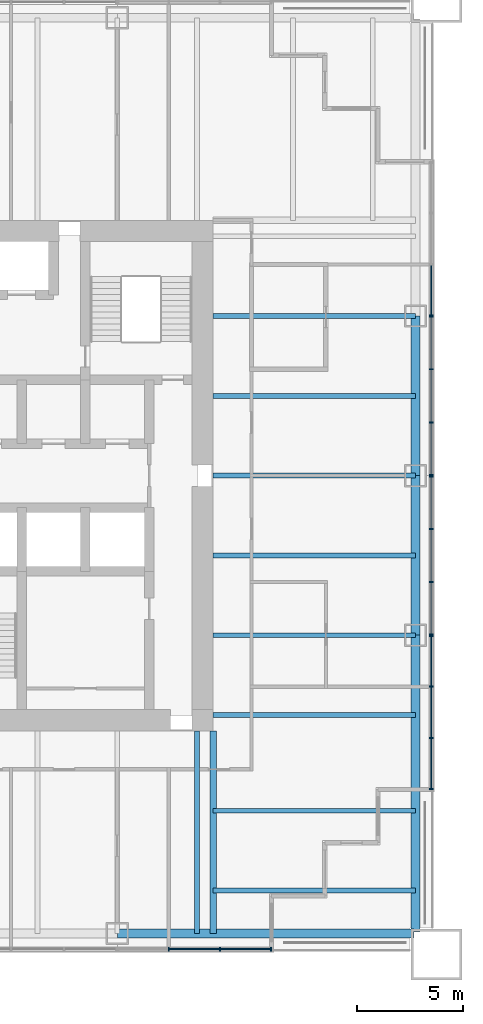
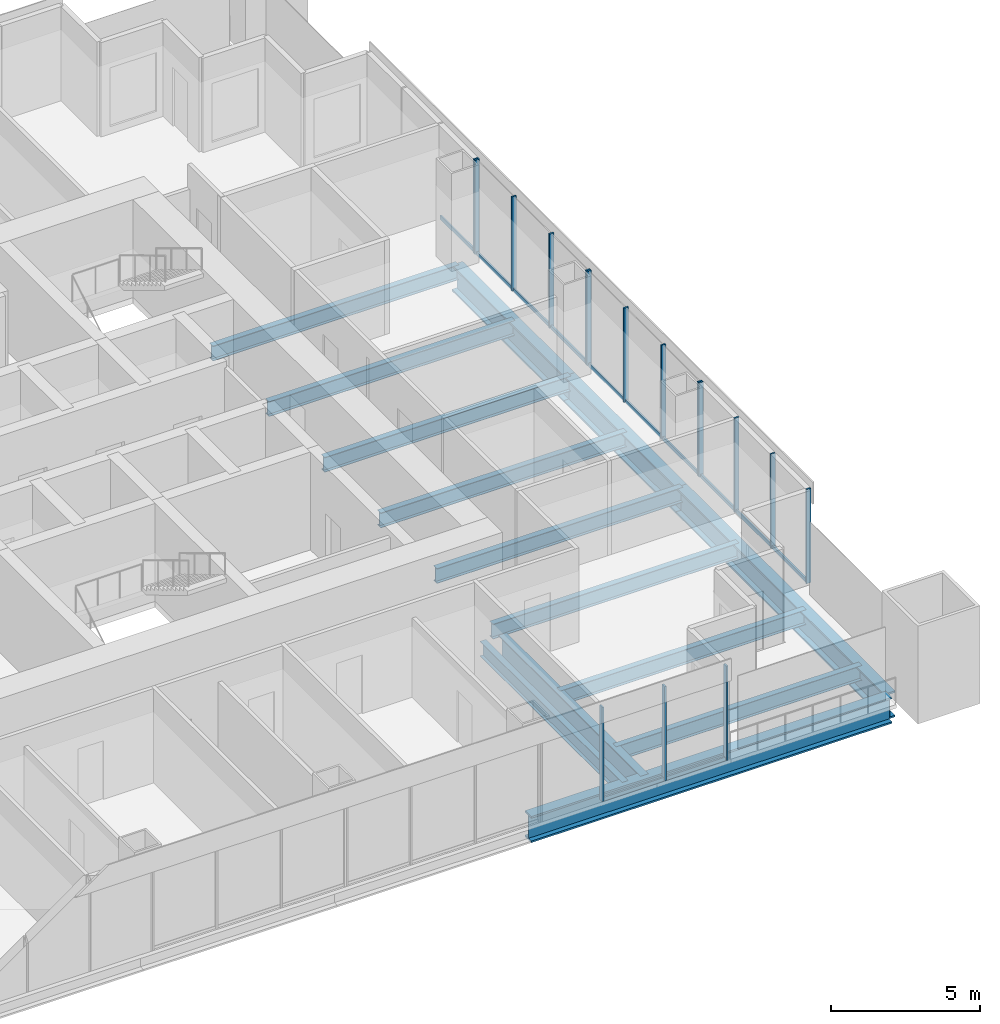
# One storey, part 4 of 13: 28 members, 14 beams, 5 elements without a shape of their own.
"""IFC4 building model written with IfcOpenShell, lengths in metres."""

from ifc_helpers import new_model, si_unit, direction, frame, origin, origin_2d, place, context, subcontext, project, spatial, rectangle, i_section, extrude, material, material_profile, profile_set, type_object, element, aggregate, save


model = new_model("IFC4")

# Units and contexts
model_context = context("Model", 3, precision=1e-05, world=origin(), true_north=direction((0.0, 1.0)))
body_context = subcontext(model_context, "Body", "Model", "MODEL_VIEW")
ifc_project = project(units=[si_unit("LENGTHUNIT", "METRE"), si_unit("AREAUNIT", "SQUARE_METRE"), si_unit("VOLUMEUNIT", "CUBIC_METRE"), si_unit("PLANEANGLEUNIT", "RADIAN"), si_unit("MASSUNIT", "GRAM", prefix="KILO")], contexts=[model_context])

# Site, building, storey
site_placement = place(None, origin())
site = spatial("IfcSite", under=ifc_project, at=site_placement, CompositionType="ELEMENT")
building_placement = place(site_placement, origin())
building = spatial("IfcBuilding", under=site, at=building_placement, Name="Tarangal Relay Tower", CompositionType="ELEMENT")
storey_placement = place(building_placement, frame((0.0, 0.0, 185.89990234375)))
storey = spatial("IfcBuildingStorey", under=building, at=storey_placement, Name="L38", CompositionType="ELEMENT", Elevation=185.89990234375)

# Beams
ifc_material_1 = material(Name="Steel ASTM A992", Category="steel")
ifc_material_profile_1 = material_profile(ifc_material_1, i_section(OverallWidth=0.227783203125, OverallDepth=0.60205078125, WebThickness=0.010498046875, FlangeThickness=0.014892578125, at=origin_2d()), Name="W24X68")
ifc_profile_set_1 = profile_set([ifc_material_profile_1], Name="Steel ASTM A992")
beam_type_1 = type_object("IfcBeamType", Name="Corner beam W24X68", PredefinedType="JOIST", material=ifc_profile_set_1)
for number, where, z_axis, x_axis, name in (
    (1, (12.0, -15.75, -0.450927734375), (1.0, 0.0, 0.0), (0.0, 1.0, 0.0), "Corner beam CB11 E L38"),
    (2, (12.0, -19.5, -0.450927734375), (1.0, 0.0, 0.0), (0.0, 1.0, 0.0), "Corner beam CB11 E L38"),
):
    element("IfcBeam", number, at=place(storey_placement, frame(where, z_axis=z_axis, x_axis=x_axis)), inside=storey, type_object=beam_type_1, Name=name, PredefinedType="JOIST", context=body_context, shape_type="SweptSolid", body=[
        extrude(i_section(OverallWidth=0.227783203125, OverallDepth=0.60205078125, WebThickness=0.010498046875, FlangeThickness=0.014892578125, at=origin_2d()), origin(), (0.0, 0.0, 1.0), 9.514892578125),
    ])
ifc_material_profile_2 = material_profile(ifc_material_1, i_section(OverallWidth=0.307373046875, OverallDepth=0.9423828125, WebThickness=0.022216796875, FlangeThickness=0.039794921875, at=origin_2d()), Name="W36X232")
ifc_profile_set_2 = profile_set([ifc_material_profile_2], Name="Steel ASTM A992")
beam_type_2 = type_object("IfcBeamType", Name="Corner girder W36X232", PredefinedType="BEAM", material=ifc_profile_set_2)
beam_placement = place(storey_placement, frame((12.0, -12.0, -0.62109375), z_axis=(0.0, -1.0, 0.0), x_axis=(1.0, 0.0, 0.0)))
element("IfcBeam", 3, at=beam_placement, inside=storey, type_object=beam_type_2, Name="Corner girder CG4 E L38", PredefinedType="BEAM", context=body_context, shape_type="SweptSolid", body=[
    extrude(i_section(OverallWidth=0.307373046875, OverallDepth=0.9423828125, WebThickness=0.022216796875, FlangeThickness=0.039794921875, at=origin_2d()), origin(), (0.0, 0.0, 1.0), 9.514892578125),
])
ifc_material_profile_3 = material_profile(ifc_material_1, i_section(OverallWidth=0.41650390625, OverallDepth=1.0693359375, WebThickness=0.0390625, FlangeThickness=0.070068359375, at=origin_2d()), Name="W40X503")
ifc_profile_set_3 = profile_set([ifc_material_profile_3], Name="Steel ASTM A992")
beam_type_3 = type_object("IfcBeamType", Name="Edge girder W40X503", PredefinedType="SPANDREL", material=ifc_profile_set_3)
for number, where, z_axis, x_axis, name in (
    (4, (21.514892578125, 7.5, -0.6845703125), (0.0, -1.0, 0.0), (1.0, 0.0, 0.0), "Edge girder EG8 E L38"),
    (5, (21.514892578125, 0.0, -0.6845703125), (0.0, -1.0, 0.0), (1.0, 0.0, 0.0), "Edge girder EG8 E L38"),
):
    element("IfcBeam", number, at=place(storey_placement, frame(where, z_axis=z_axis, x_axis=x_axis)), inside=storey, type_object=beam_type_3, Name=name, PredefinedType="SPANDREL", context=body_context, shape_type="SweptSolid", body=[
        extrude(i_section(OverallWidth=0.41650390625, OverallDepth=1.0693359375, WebThickness=0.0390625, FlangeThickness=0.070068359375, at=origin_2d()), origin(), (0.0, 0.0, 1.0), 7.5),
    ])
for number, where, z_axis, x_axis, name in (
    (6, (21.514892578125, -7.5, -0.6845703125), (0.0, -1.0, 0.0), (1.0, 0.0, 0.0), "Edge girder EG8 E L38"),
    (7, (21.449951171875, -21.514892578125, -0.6845703125), (-1.0, 0.0, 0.0), (0.0, -1.0, 0.0), "Edge girder EG8 S L38"),
):
    element("IfcBeam", number, at=place(storey_placement, frame(where, z_axis=z_axis, x_axis=x_axis)), inside=storey, type_object=beam_type_3, Name=name, PredefinedType="SPANDREL", context=body_context, shape_type="SweptSolid", body=[
        extrude(i_section(OverallWidth=0.41650390625, OverallDepth=1.0693359375, WebThickness=0.0390625, FlangeThickness=0.070068359375, at=origin_2d()), origin(), (0.0, 0.0, 1.0), 13.949951171875),
    ])
ifc_material_profile_4 = material_profile(ifc_material_1, i_section(OverallWidth=0.22900390625, OverallDepth=0.612060546875, WebThickness=0.011962890625, FlangeThickness=0.01953125, at=origin_2d()), Name="W24X84")
ifc_profile_set_4 = profile_set([ifc_material_profile_4], Name="Steel ASTM A992")
beam_type_4 = type_object("IfcBeamType", Name="Floor beam W24X84", PredefinedType="BEAM", material=ifc_profile_set_4)
for number, where, z_axis, x_axis, name in (
    (8, (12.0, 7.5, -0.455810546875), (1.0, 0.0, 0.0), (0.0, 1.0, 0.0), "Floor beam RB12 E L38"),
    (9, (12.0, 3.75, -0.455810546875), (1.0, 0.0, 0.0), (0.0, 1.0, 0.0), "Floor beam RB12 E L38"),
    (10, (12.0, 0.0, -0.455810546875), (1.0, 0.0, 0.0), (0.0, 1.0, 0.0), "Floor beam RB12 E L38"),
    (11, (12.0, -3.75, -0.455810546875), (1.0, 0.0, 0.0), (0.0, 1.0, 0.0), "Floor beam RB12 E L38"),
    (12, (12.0, -7.5, -0.455810546875), (1.0, 0.0, 0.0), (0.0, 1.0, 0.0), "Floor beam RB12 E L38"),
    (13, (12.0, -11.25, -0.455810546875), (1.0, 0.0, 0.0), (0.0, 1.0, 0.0), "Floor beam RB12 E L38"),
    (14, (11.25, -12.0, -0.455810546875), (0.0, -1.0, 0.0), (1.0, 0.0, 0.0), "Floor beam RB12 S L38"),
):
    element("IfcBeam", number, at=place(storey_placement, frame(where, z_axis=z_axis, x_axis=x_axis)), inside=storey, type_object=beam_type_4, Name=name, PredefinedType="BEAM", context=body_context, shape_type="SweptSolid", body=[
        extrude(i_section(OverallWidth=0.22900390625, OverallDepth=0.612060546875, WebThickness=0.011962890625, FlangeThickness=0.01953125, at=origin_2d()), origin(), (0.0, 0.0, 1.0), 9.514892578125),
    ])

# Curtain wall, members
ifc_material_2 = material(Name="Unitised curtain wall, dark glass and black aluminium", Category="aluminium")
curtain_wall_type_1 = type_object("IfcCurtainWallType", Name="Curtain wall CW-A", PredefinedType="USERDEFINED", material=ifc_material_2)
curtain_wall_1_placement = place(storey_placement, origin())
curtain_wall_1 = element("IfcCurtainWall", 15, at=curtain_wall_1_placement, inside=storey, type_object=curtain_wall_type_1, Name="Curtain wall CW-A E facade L38", ObjectType="UNITISED CURTAIN WALL", PredefinedType="USERDEFINED")
ifc_material_3 = material(Name="Black anodised aluminium mullion", Category="aluminium")
ifc_material_profile_5 = material_profile(ifc_material_3, rectangle(XDim=0.175048828125, YDim=0.06494140625, at=origin_2d()), Name="CW-AM 65X175")
ifc_profile_set_5 = profile_set([ifc_material_profile_5], Name="Black anodised aluminium mullion")
member_type_1 = type_object("IfcMemberType", Name="Mullion CW-A 65 x 175", PredefinedType="MULLION", material=ifc_profile_set_5)
member_1_placement = place(storey_placement, frame((22.25, 7.467529296875, 0.0), z_axis=(0.0, 0.0, 1.0), x_axis=(1.0, 0.0, 0.0)))
member_1 = element("IfcMember", 16, at=member_1_placement, type_object=member_type_1, Name="CW-A mullion 1", PredefinedType="MULLION", context=body_context, shape_type="SweptSolid", body=[
    extrude(rectangle(XDim=0.175048828125, YDim=0.06494140625, at=origin_2d()), origin(), (0.0, 0.0, 1.0), 3.85009765625),
])
member_2_placement = place(storey_placement, frame((22.25, 5.0, 0.0), z_axis=(0.0, 0.0, 1.0), x_axis=(1.0, 0.0, 0.0)))
member_2 = element("IfcMember", 17, at=member_2_placement, type_object=member_type_1, Name="CW-A mullion 2", PredefinedType="MULLION", context=body_context, shape_type="SweptSolid", body=[
    extrude(rectangle(XDim=0.175048828125, YDim=0.06494140625, at=origin_2d()), origin(), (0.0, 0.0, 1.0), 3.85009765625),
])
member_3_placement = place(storey_placement, frame((22.25, 2.5, 0.0), z_axis=(0.0, 0.0, 1.0), x_axis=(1.0, 0.0, 0.0)))
member_3 = element("IfcMember", 18, at=member_3_placement, type_object=member_type_1, Name="CW-A mullion 3", PredefinedType="MULLION", context=body_context, shape_type="SweptSolid", body=[
    extrude(rectangle(XDim=0.175048828125, YDim=0.06494140625, at=origin_2d()), origin(), (0.0, 0.0, 1.0), 3.85009765625),
])
member_4_placement = place(storey_placement, frame((22.25, 0.032470703125, 0.0), z_axis=(0.0, 0.0, 1.0), x_axis=(1.0, 0.0, 0.0)))
member_4 = element("IfcMember", 19, at=member_4_placement, type_object=member_type_1, Name="CW-A mullion 4", PredefinedType="MULLION", context=body_context, shape_type="SweptSolid", body=[
    extrude(rectangle(XDim=0.175048828125, YDim=0.06494140625, at=origin_2d()), origin(), (0.0, 0.0, 1.0), 3.85009765625),
])

curtain_wall_2_placement = place(storey_placement, origin())
curtain_wall_2 = element("IfcCurtainWall", 20, at=curtain_wall_2_placement, inside=storey, type_object=curtain_wall_type_1, Name="Curtain wall CW-A E facade L38", ObjectType="UNITISED CURTAIN WALL", PredefinedType="USERDEFINED")
member_5_placement = place(storey_placement, frame((22.25, -0.032470703125, 0.0), z_axis=(0.0, 0.0, 1.0), x_axis=(1.0, 0.0, 0.0)))
member_5 = element("IfcMember", 21, at=member_5_placement, type_object=member_type_1, Name="CW-A mullion 1", PredefinedType="MULLION", context=body_context, shape_type="SweptSolid", body=[
    extrude(rectangle(XDim=0.175048828125, YDim=0.06494140625, at=origin_2d()), origin(), (0.0, 0.0, 1.0), 3.85009765625),
])
member_6_placement = place(storey_placement, frame((22.25, -2.5, 0.0), z_axis=(0.0, 0.0, 1.0), x_axis=(1.0, 0.0, 0.0)))
member_6 = element("IfcMember", 22, at=member_6_placement, type_object=member_type_1, Name="CW-A mullion 2", PredefinedType="MULLION", context=body_context, shape_type="SweptSolid", body=[
    extrude(rectangle(XDim=0.175048828125, YDim=0.06494140625, at=origin_2d()), origin(), (0.0, 0.0, 1.0), 3.85009765625),
])
member_7_placement = place(storey_placement, frame((22.25, -5.0, 0.0), z_axis=(0.0, 0.0, 1.0), x_axis=(1.0, 0.0, 0.0)))
member_7 = element("IfcMember", 23, at=member_7_placement, type_object=member_type_1, Name="CW-A mullion 3", PredefinedType="MULLION", context=body_context, shape_type="SweptSolid", body=[
    extrude(rectangle(XDim=0.175048828125, YDim=0.06494140625, at=origin_2d()), origin(), (0.0, 0.0, 1.0), 3.85009765625),
])
member_8_placement = place(storey_placement, frame((22.25, -7.467529296875, 0.0), z_axis=(0.0, 0.0, 1.0), x_axis=(1.0, 0.0, 0.0)))
member_8 = element("IfcMember", 24, at=member_8_placement, type_object=member_type_1, Name="CW-A mullion 4", PredefinedType="MULLION", context=body_context, shape_type="SweptSolid", body=[
    extrude(rectangle(XDim=0.175048828125, YDim=0.06494140625, at=origin_2d()), origin(), (0.0, 0.0, 1.0), 3.85009765625),
])

# Curtain wall, member
ifc_material_4 = material(Name="Unitised curtain wall frame, black aluminium, with metal clad infill walls", Category="aluminium")
curtain_wall_type_2 = type_object("IfcCurtainWallType", Name="Curtain wall CW-AO", PredefinedType="USERDEFINED", material=ifc_material_4)
curtain_wall_3_placement = place(storey_placement, origin())
curtain_wall_3 = element("IfcCurtainWall", 25, at=curtain_wall_3_placement, inside=storey, type_object=curtain_wall_type_2, Name="Curtain wall CW-AO E facade L38", ObjectType="UNITISED CURTAIN WALL", PredefinedType="USERDEFINED")
ifc_material_profile_6 = material_profile(ifc_material_3, rectangle(XDim=0.175048828125, YDim=0.06494140625, at=origin_2d()), Name="CW-AOM 65X175")
ifc_profile_set_6 = profile_set([ifc_material_profile_6], Name="Black anodised aluminium mullion")
member_type_2 = type_object("IfcMemberType", Name="Mullion CW-AO 65 x 175", PredefinedType="MULLION", material=ifc_profile_set_6)
member_9_placement = place(storey_placement, frame((22.25, 7.532470703125, 0.0), z_axis=(0.0, 0.0, 1.0), x_axis=(1.0, 0.0, 0.0)))
member_9 = element("IfcMember", 26, at=member_9_placement, type_object=member_type_2, Name="CW-AO mullion 4", PredefinedType="MULLION", context=body_context, shape_type="SweptSolid", body=[
    extrude(rectangle(XDim=0.175048828125, YDim=0.06494140625, at=origin_2d()), origin(), (0.0, 0.0, 1.0), 3.85009765625),
])

# Curtain wall, members
curtain_wall_4_placement = place(storey_placement, origin())
curtain_wall_4 = element("IfcCurtainWall", 27, at=curtain_wall_4_placement, inside=storey, type_object=curtain_wall_type_2, Name="Curtain wall CW-AO E facade L38", ObjectType="UNITISED CURTAIN WALL", PredefinedType="USERDEFINED")
member_10_placement = place(storey_placement, frame((22.25, -7.532470703125, 0.0), z_axis=(0.0, 0.0, 1.0), x_axis=(1.0, 0.0, 0.0)))
member_10 = element("IfcMember", 28, at=member_10_placement, type_object=member_type_2, Name="CW-AO mullion 1", PredefinedType="MULLION", context=body_context, shape_type="SweptSolid", body=[
    extrude(rectangle(XDim=0.175048828125, YDim=0.06494140625, at=origin_2d()), origin(), (0.0, 0.0, 1.0), 3.85009765625),
])
member_11_placement = place(storey_placement, frame((22.25, -9.916748046875, 0.0), z_axis=(0.0, 0.0, 1.0), x_axis=(1.0, 0.0, 0.0)))
member_11 = element("IfcMember", 29, at=member_11_placement, type_object=member_type_2, Name="CW-AO mullion 2", PredefinedType="MULLION", context=body_context, shape_type="SweptSolid", body=[
    extrude(rectangle(XDim=0.175048828125, YDim=0.06494140625, at=origin_2d()), origin(), (0.0, 0.0, 1.0), 3.85009765625),
])
member_12_placement = place(storey_placement, frame((22.25, -12.333251953125, 0.0), z_axis=(0.0, 0.0, 1.0), x_axis=(1.0, 0.0, 0.0)))
member_12 = element("IfcMember", 30, at=member_12_placement, type_object=member_type_2, Name="CW-AO mullion 3", PredefinedType="MULLION", context=body_context, shape_type="SweptSolid", body=[
    extrude(rectangle(XDim=0.175048828125, YDim=0.06494140625, at=origin_2d()), origin(), (0.0, 0.0, 1.0), 3.85009765625),
])
member_13_placement = place(storey_placement, frame((22.25, -14.717529296875, 0.0), z_axis=(0.0, 0.0, 1.0), x_axis=(1.0, 0.0, 0.0)))
member_13 = element("IfcMember", 31, at=member_13_placement, type_object=member_type_2, Name="CW-AO mullion 4", PredefinedType="MULLION", context=body_context, shape_type="SweptSolid", body=[
    extrude(rectangle(XDim=0.175048828125, YDim=0.06494140625, at=origin_2d()), origin(), (0.0, 0.0, 1.0), 3.85009765625),
])

curtain_wall_5_placement = place(storey_placement, origin())
curtain_wall_5 = element("IfcCurtainWall", 32, at=curtain_wall_5_placement, inside=storey, type_object=curtain_wall_type_2, Name="Curtain wall CW-AO S facade L38", ObjectType="UNITISED CURTAIN WALL", PredefinedType="USERDEFINED")
member_14_placement = place(storey_placement, frame((14.717529296875, -22.25, 0.0), z_axis=(0.0, 0.0, 1.0), x_axis=(0.0, -1.0, 0.0)))
member_14 = element("IfcMember", 33, at=member_14_placement, type_object=member_type_2, Name="CW-AO mullion 1", PredefinedType="MULLION", context=body_context, shape_type="SweptSolid", body=[
    extrude(rectangle(XDim=0.175048828125, YDim=0.06494140625, at=origin_2d()), origin(), (0.0, 0.0, 1.0), 3.85009765625),
])
member_15_placement = place(storey_placement, frame((12.333251953125, -22.25, 0.0), z_axis=(0.0, 0.0, 1.0), x_axis=(0.0, -1.0, 0.0)))
member_15 = element("IfcMember", 34, at=member_15_placement, type_object=member_type_2, Name="CW-AO mullion 2", PredefinedType="MULLION", context=body_context, shape_type="SweptSolid", body=[
    extrude(rectangle(XDim=0.175048828125, YDim=0.06494140625, at=origin_2d()), origin(), (0.0, 0.0, 1.0), 3.85009765625),
])
member_16_placement = place(storey_placement, frame((9.916748046875, -22.25, 0.0), z_axis=(0.0, 0.0, 1.0), x_axis=(0.0, -1.0, 0.0)))
member_16 = element("IfcMember", 35, at=member_16_placement, type_object=member_type_2, Name="CW-AO mullion 3", PredefinedType="MULLION", context=body_context, shape_type="SweptSolid", body=[
    extrude(rectangle(XDim=0.175048828125, YDim=0.06494140625, at=origin_2d()), origin(), (0.0, 0.0, 1.0), 3.85009765625),
])

# Member
ifc_material_5 = material(Name="Black anodised aluminium transom", Category="aluminium")
ifc_material_profile_7 = material_profile(ifc_material_5, rectangle(XDim=0.06494140625, YDim=0.14990234375, at=origin_2d()), Name="CW-AT 65X150")
ifc_profile_set_7 = profile_set([ifc_material_profile_7], Name="Black anodised aluminium transom")
member_type_3 = type_object("IfcMemberType", Name="Transom CW-A 65 x 150", PredefinedType="USERDEFINED", material=ifc_profile_set_7)
member_17_placement = place(storey_placement, frame((22.25, 7.43505859375, 0.03271484375), z_axis=(0.0, -1.0, 0.0), x_axis=(1.0, 0.0, 0.0)))
member_17 = element("IfcMember", 36, at=member_17_placement, type_object=member_type_3, Name="CW-A transom 1.1", ObjectType="TRANSOM", PredefinedType="USERDEFINED", context=body_context, shape_type="SweptSolid", body=[
    extrude(rectangle(XDim=0.06494140625, YDim=0.14990234375, at=origin_2d()), origin(), (0.0, 0.0, 1.0), 2.402587890625),
])

member_18_placement = place(storey_placement, frame((22.25, 4.967529296875, 0.03271484375), z_axis=(0.0, -1.0, 0.0), x_axis=(1.0, 0.0, 0.0)))
member_18 = element("IfcMember", 37, at=member_18_placement, type_object=member_type_3, Name="CW-A transom 2.1", ObjectType="TRANSOM", PredefinedType="USERDEFINED", context=body_context, shape_type="SweptSolid", body=[
    extrude(rectangle(XDim=0.06494140625, YDim=0.14990234375, at=origin_2d()), origin(), (0.0, 0.0, 1.0), 2.43505859375),
])

member_19_placement = place(storey_placement, frame((22.25, 2.467529296875, 0.03271484375), z_axis=(0.0, -1.0, 0.0), x_axis=(1.0, 0.0, 0.0)))
member_19 = element("IfcMember", 38, at=member_19_placement, type_object=member_type_3, Name="CW-A transom 3.1", ObjectType="TRANSOM", PredefinedType="USERDEFINED", context=body_context, shape_type="SweptSolid", body=[
    extrude(rectangle(XDim=0.06494140625, YDim=0.14990234375, at=origin_2d()), origin(), (0.0, 0.0, 1.0), 2.402587890625),
])

aggregate(curtain_wall_1, [member_1, member_2, member_3, member_4, member_17, member_18, member_19])

member_20_placement = place(storey_placement, frame((22.25, -0.06494140625, 0.03271484375), z_axis=(0.0, -1.0, 0.0), x_axis=(1.0, 0.0, 0.0)))
member_20 = element("IfcMember", 39, at=member_20_placement, type_object=member_type_3, Name="CW-A transom 1.1", ObjectType="TRANSOM", PredefinedType="USERDEFINED", context=body_context, shape_type="SweptSolid", body=[
    extrude(rectangle(XDim=0.06494140625, YDim=0.14990234375, at=origin_2d()), origin(), (0.0, 0.0, 1.0), 2.402587890625),
])

member_21_placement = place(storey_placement, frame((22.25, -2.532470703125, 0.03271484375), z_axis=(0.0, -1.0, 0.0), x_axis=(1.0, 0.0, 0.0)))
member_21 = element("IfcMember", 40, at=member_21_placement, type_object=member_type_3, Name="CW-A transom 2.1", ObjectType="TRANSOM", PredefinedType="USERDEFINED", context=body_context, shape_type="SweptSolid", body=[
    extrude(rectangle(XDim=0.06494140625, YDim=0.14990234375, at=origin_2d()), origin(), (0.0, 0.0, 1.0), 2.43505859375),
])

member_22_placement = place(storey_placement, frame((22.25, -5.032470703125, 0.03271484375), z_axis=(0.0, -1.0, 0.0), x_axis=(1.0, 0.0, 0.0)))
member_22 = element("IfcMember", 41, at=member_22_placement, type_object=member_type_3, Name="CW-A transom 3.1", ObjectType="TRANSOM", PredefinedType="USERDEFINED", context=body_context, shape_type="SweptSolid", body=[
    extrude(rectangle(XDim=0.06494140625, YDim=0.14990234375, at=origin_2d()), origin(), (0.0, 0.0, 1.0), 2.402587890625),
])

aggregate(curtain_wall_2, [member_5, member_6, member_7, member_8, member_20, member_21, member_22])

ifc_material_profile_8 = material_profile(ifc_material_5, rectangle(XDim=0.06494140625, YDim=0.14990234375, at=origin_2d()), Name="CW-AOT 65X150")
ifc_profile_set_8 = profile_set([ifc_material_profile_8], Name="Black anodised aluminium transom")
member_type_4 = type_object("IfcMemberType", Name="Transom CW-AO 65 x 150", PredefinedType="USERDEFINED", material=ifc_profile_set_8)
member_23_placement = place(storey_placement, frame((22.25, 9.88427734375, 0.03271484375), z_axis=(0.0, -1.0, 0.0), x_axis=(1.0, 0.0, 0.0)))
member_23 = element("IfcMember", 42, at=member_23_placement, type_object=member_type_4, Name="CW-AO transom 3.1", ObjectType="TRANSOM", PredefinedType="USERDEFINED", context=body_context, shape_type="SweptSolid", body=[
    extrude(rectangle(XDim=0.06494140625, YDim=0.14990234375, at=origin_2d()), origin(), (0.0, 0.0, 1.0), 2.3193359375),
])

aggregate(curtain_wall_3, [member_9, member_23])

member_24_placement = place(storey_placement, frame((22.25, -7.56494140625, 0.03271484375), z_axis=(0.0, -1.0, 0.0), x_axis=(1.0, 0.0, 0.0)))
member_24 = element("IfcMember", 43, at=member_24_placement, type_object=member_type_4, Name="CW-AO transom 1.1", ObjectType="TRANSOM", PredefinedType="USERDEFINED", context=body_context, shape_type="SweptSolid", body=[
    extrude(rectangle(XDim=0.06494140625, YDim=0.14990234375, at=origin_2d()), origin(), (0.0, 0.0, 1.0), 2.3193359375),
])

member_25_placement = place(storey_placement, frame((22.25, -9.94921875, 0.03271484375), z_axis=(0.0, -1.0, 0.0), x_axis=(1.0, 0.0, 0.0)))
member_25 = element("IfcMember", 44, at=member_25_placement, type_object=member_type_4, Name="CW-AO transom 2.1", ObjectType="TRANSOM", PredefinedType="USERDEFINED", context=body_context, shape_type="SweptSolid", body=[
    extrude(rectangle(XDim=0.06494140625, YDim=0.14990234375, at=origin_2d()), origin(), (0.0, 0.0, 1.0), 2.3515625),
])

member_26_placement = place(storey_placement, frame((22.25, -12.36572265625, 0.03271484375), z_axis=(0.0, -1.0, 0.0), x_axis=(1.0, 0.0, 0.0)))
member_26 = element("IfcMember", 45, at=member_26_placement, type_object=member_type_4, Name="CW-AO transom 3.1", ObjectType="TRANSOM", PredefinedType="USERDEFINED", context=body_context, shape_type="SweptSolid", body=[
    extrude(rectangle(XDim=0.06494140625, YDim=0.14990234375, at=origin_2d()), origin(), (0.0, 0.0, 1.0), 2.3193359375),
])

aggregate(curtain_wall_4, [member_10, member_11, member_12, member_13, member_24, member_25, member_26])

member_27_placement = place(storey_placement, frame((14.68505859375, -22.25, 0.03271484375), z_axis=(-1.0, 0.0, 0.0), x_axis=(0.0, -1.0, 0.0)))
member_27 = element("IfcMember", 46, at=member_27_placement, type_object=member_type_4, Name="CW-AO transom 1.1", ObjectType="TRANSOM", PredefinedType="USERDEFINED", context=body_context, shape_type="SweptSolid", body=[
    extrude(rectangle(XDim=0.06494140625, YDim=0.14990234375, at=origin_2d()), origin(), (0.0, 0.0, 1.0), 2.3193359375),
])

member_28_placement = place(storey_placement, frame((12.30078125, -22.25, 0.03271484375), z_axis=(-1.0, 0.0, 0.0), x_axis=(0.0, -1.0, 0.0)))
member_28 = element("IfcMember", 47, at=member_28_placement, type_object=member_type_4, Name="CW-AO transom 2.1", ObjectType="TRANSOM", PredefinedType="USERDEFINED", context=body_context, shape_type="SweptSolid", body=[
    extrude(rectangle(XDim=0.06494140625, YDim=0.14990234375, at=origin_2d()), origin(), (0.0, 0.0, 1.0), 2.3515625),
])

aggregate(curtain_wall_5, [member_14, member_15, member_16, member_27, member_28])

save(model, "model.ifc")
